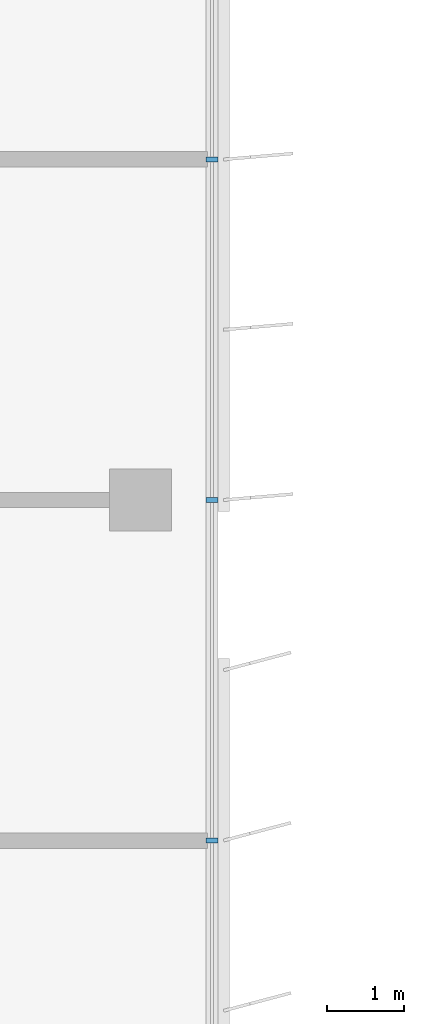
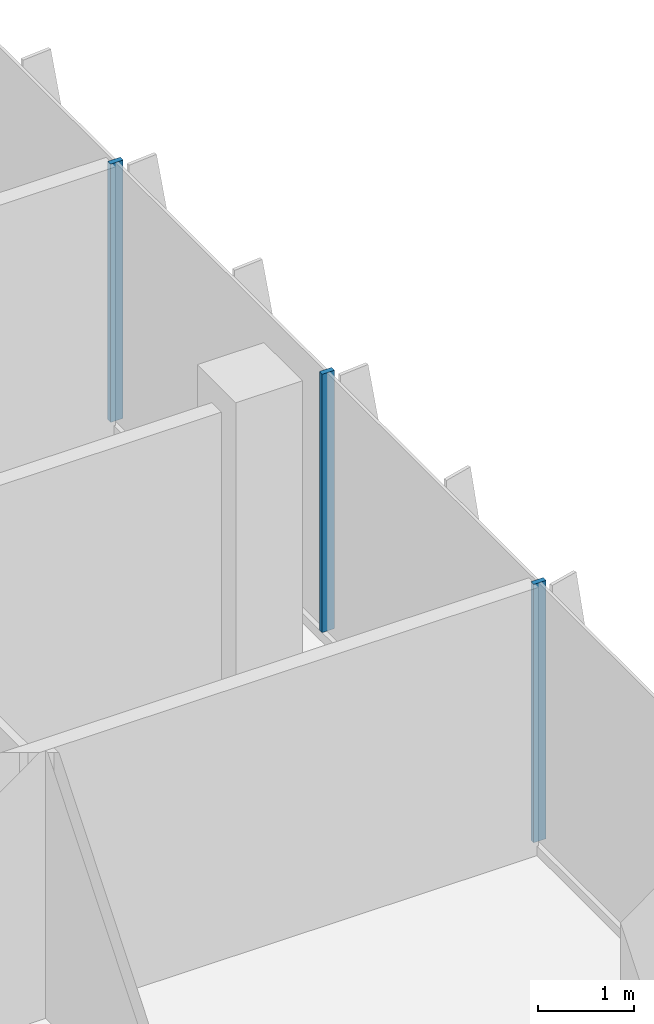
# One storey, part 4 of 16: 3 members, 1 element without a shape of its own.
"""IFC4 building model written with IfcOpenShell, lengths in metres."""

import ifcopenshell
import ifcopenshell.guid

model = None  # the IFC model being written
_history = None  # IfcOwnerHistory: only IFC2X3 demands one
_inside = {}  # id of a spatial element -> (the spatial element, [elements in it])
_under = {}  # id of a project, library or spatial element -> (it, [spatial elements below it])
_declared = {}  # id of a project -> (the project, [libraries it declares])
_typed = {}  # id of a type object -> (the type object, [elements of that type])
_made_of = {}  # id of a material, layer set ... -> (it, [elements and type objects made of it])


def new_model(schema):
    """Start an empty IFC model of exactly this schema.

    Asked for "IFC4X3", IfcOpenShell would pick the latest addendum, in which some entities
    have other attributes; the version numbers below select the first issue.
    IFC2X3 requires an IfcOwnerHistory on every rooted entity: one is made here for all.
    """
    global model, _history
    if schema == "IFC4X3":
        model = ifcopenshell.file(schema_version=(4, 3, 0, 0))
    else:
        model = ifcopenshell.file(schema=schema)
    _inside.clear()
    _under.clear()
    _declared.clear()
    _typed.clear()
    _made_of.clear()
    _history = None
    if model.schema == "IFC2X3":
        org = make("IfcOrganization", Name="unknown")
        user = make(
            "IfcPersonAndOrganization",
            ThePerson=make("IfcPerson", FamilyName="unknown"),
            TheOrganization=org,
        )
        app = make(
            "IfcApplication",
            ApplicationDeveloper=org,
            Version="unknown",
            ApplicationFullName="unknown",
            ApplicationIdentifier="unknown",
        )
        _history = make(
            "IfcOwnerHistory",
            OwningUser=user,
            OwningApplication=app,
            ChangeAction="ADDED",
            CreationDate=0,
        )
    return model


def make(cls, **values):
    """One entity of the class cls with the attributes given. An attribute that is None is left unset."""
    return model.create_entity(
        cls, **{name: value for name, value in values.items() if value is not None}
    )


def rooted(cls, **values):
    """An entity with a GlobalId (a new one), such as an element, a storey or a relation."""
    return make(cls, GlobalId=ifcopenshell.guid.new(), OwnerHistory=_history, **values)


def si_unit(unit_type, name, prefix=None):
    """IfcSIUnit, for example si_unit("LENGTHUNIT", "METRE", prefix="MILLI")."""
    return make("IfcSIUnit", UnitType=unit_type, Prefix=prefix, Name=name)


def assignment(units):
    """IfcUnitAssignment: the units of a project."""
    return None if units is None else make("IfcUnitAssignment", Units=units)


def point(xyz):
    """IfcCartesianPoint."""
    return None if xyz is None else make("IfcCartesianPoint", Coordinates=xyz)


def direction(xyz):
    """IfcDirection."""
    return None if xyz is None else make("IfcDirection", DirectionRatios=xyz)


def frame(location, z_axis=None, x_axis=None):
    """IfcAxis2Placement3D, a coordinate frame: its origin and axes. An axis left out is left unset."""
    return make(
        "IfcAxis2Placement3D",
        Location=point(location),
        Axis=direction(z_axis),
        RefDirection=direction(x_axis),
    )


def frame_2d(location, x_axis=None):
    """IfcAxis2Placement2D, a coordinate frame in the plane: its origin and x axis."""
    return make(
        "IfcAxis2Placement2D", Location=point(location), RefDirection=direction(x_axis)
    )


def origin():
    """The frame at (0, 0, 0) with its axes left unset."""
    return frame((0.0, 0.0, 0.0))


def origin_2d():
    """The frame at (0, 0) in the plane with its x axis left unset."""
    return frame_2d((0.0, 0.0))


def place(relative_to, where):
    """IfcLocalPlacement: puts the frame where relative to a parent placement (None: the world)."""
    return make(
        "IfcLocalPlacement", PlacementRelTo=relative_to, RelativePlacement=where
    )


def context(
    kind, dimensions, precision=None, world=None, true_north=None, identifier=None
):
    """IfcGeometricRepresentationContext, for example the 3D "Model" context."""
    return make(
        "IfcGeometricRepresentationContext",
        ContextIdentifier=identifier,
        ContextType=kind,
        CoordinateSpaceDimension=dimensions,
        Precision=precision,
        WorldCoordinateSystem=world,
        TrueNorth=true_north,
    )


def subcontext(parent, identifier, kind, view, scale=None):
    """IfcGeometricRepresentationSubContext, for example "Body" below "Model"."""
    return make(
        "IfcGeometricRepresentationSubContext",
        ContextIdentifier=identifier,
        ContextType=kind,
        ParentContext=parent,
        TargetScale=scale,
        TargetView=view,
    )


def project(units=None, contexts=None):
    """IfcProject with its units and contexts."""
    return rooted(
        "IfcProject",
        Name="project",
        RepresentationContexts=contexts,
        UnitsInContext=assignment(units),
    )


def spatial(cls, under=None, at=None, **own):
    """A site, building, storey or space (cls), placed at a placement, below another one or the project."""
    s = rooted(cls, ObjectPlacement=at, **own)
    if under is not None:
        _under.setdefault(under.id(), (under, []))[1].append(s)
    return s


def profile(cls, at=None, kind="AREA", **sizes):
    """A parametric profile (cls). Its sizes go by their IFC names, for example OverallWidth=200.0."""
    return make(cls, ProfileType=kind, Position=at, **sizes)


def rectangle(**sizes):
    """IfcRectangleProfileDef."""
    return profile("IfcRectangleProfileDef", **sizes)


def extrude(swept, where, along, depth):
    """IfcExtrudedAreaSolid: the profile swept, set in the frame where, extruded along a direction by depth."""
    return make(
        "IfcExtrudedAreaSolid",
        SweptArea=swept,
        Position=where,
        ExtrudedDirection=direction(along),
        Depth=depth,
    )


def shape(context_of_items, identifier, shape_type, items):
    """IfcShapeRepresentation: the items that make up one representation, for example the "Body"."""
    return make(
        "IfcShapeRepresentation",
        ContextOfItems=context_of_items,
        RepresentationIdentifier=identifier,
        RepresentationType=shape_type,
        Items=items,
    )


def source(mapping_origin, context_of_items, identifier, shape_type, items):
    """IfcRepresentationMap: a shape defined once, which mapped items show again and again."""
    return make(
        "IfcRepresentationMap",
        MappingOrigin=mapping_origin,
        MappedRepresentation=shape(context_of_items, identifier, shape_type, items),
    )


def transform(
    local_origin,
    x_axis=None,
    y_axis=None,
    z_axis=None,
    scale=None,
    scale2=None,
    scale3=None,
    uniform=True,
):
    """IfcCartesianTransformationOperator3D, or its non-uniform kind. x_axis, y_axis, z_axis: its Axis1, 2, 3."""
    if uniform:
        return make(
            "IfcCartesianTransformationOperator3D",
            Axis1=direction(x_axis),
            Axis2=direction(y_axis),
            LocalOrigin=point(local_origin),
            Scale=scale,
            Axis3=direction(z_axis),
        )
    return make(
        "IfcCartesianTransformationOperator3DnonUniform",
        Axis1=direction(x_axis),
        Axis2=direction(y_axis),
        LocalOrigin=point(local_origin),
        Scale=scale,
        Axis3=direction(z_axis),
        Scale2=scale2,
        Scale3=scale3,
    )


def mapped(mapping_source, mapping_target):
    """IfcMappedItem: shows the shape of a source again, moved by a transform."""
    return make(
        "IfcMappedItem", MappingSource=mapping_source, MappingTarget=mapping_target
    )


def material(Name=None, Category=None):
    """IfcMaterial."""
    return make("IfcMaterial", Name=Name, Category=Category)


def material_profile(
    of_material, cross_section, Name=None, Category=None, Priority=None
):
    """IfcMaterialProfile: a cross section and its material."""
    return make(
        "IfcMaterialProfile",
        Name=Name,
        Material=of_material,
        Profile=cross_section,
        Priority=Priority,
        Category=Category,
    )


def profile_set(profiles, Name=None, composite=None):
    """IfcMaterialProfileSet."""
    return make(
        "IfcMaterialProfileSet",
        Name=Name,
        MaterialProfiles=profiles,
        CompositeProfile=composite,
    )


def made_of(thing, what):
    """Note that an element or type object is made of a material, layer set ...; save() writes the relation."""
    if what is not None:
        _made_of.setdefault(what.id(), (what, []))[1].append(thing)
    return thing


def type_object(cls, material=None, **own):
    """A type object (cls), such as IfcWallType, which elements share."""
    return made_of(rooted(cls, **own), material)


def element(
    cls,
    number,
    at=None,
    inside=None,
    cuts=None,
    type_object=None,
    material=None,
    context=None,
    identifier="Body",
    shape_type=None,
    held_by="IfcProductDefinitionShape",
    body=None,
    shapes=None,
    **own,
):
    """One element of the class cls, such as IfcWall. Its Tag is "e" and its number.

    at: its placement. inside: the storey or other place that contains it. cuts: it is an
    opening in that element (IfcRelVoidsElement). A single representation is given by context,
    identifier, shape_type and body (its items); several are given by shapes. held_by: the class
    of the entity that holds the representations. save() writes the other relations.
    """
    e = rooted(cls, Tag="e%d" % number, ObjectPlacement=at, **own)
    if body is not None:
        shapes = [shape(context, identifier, shape_type, body)]
    if shapes is not None:
        e.Representation = make(held_by, Representations=shapes)
    if inside is not None:
        _inside.setdefault(inside.id(), (inside, []))[1].append(e)
    if cuts is not None:
        rooted(
            "IfcRelVoidsElement", RelatingBuildingElement=cuts, RelatedOpeningElement=e
        )
    if type_object is not None:
        _typed.setdefault(type_object.id(), (type_object, []))[1].append(e)
    return made_of(e, material)


def aggregate(whole, parts):
    """IfcRelAggregates: a whole, such as a stair, and the parts it consists of."""
    return rooted("IfcRelAggregates", RelatingObject=whole, RelatedObjects=parts)


def save(model, path):
    """Write the relations noted so far, then the file.

    IfcRelAggregates (storeys below a building ...), IfcRelContainedInSpatialStructure (elements
    in a storey), IfcRelDefinesByType, IfcRelAssociatesMaterial and IfcRelDeclares: one each for
    every whole, place, type object, material and project.
    """
    for whole, parts in _under.values():
        aggregate(whole, parts)
    for where, things in _inside.values():
        rooted(
            "IfcRelContainedInSpatialStructure",
            RelatedElements=things,
            RelatingStructure=where,
        )
    for kind, things in _typed.values():
        rooted("IfcRelDefinesByType", RelatedObjects=things, RelatingType=kind)
    for what, things in _made_of.values():
        rooted("IfcRelAssociatesMaterial", RelatedObjects=things, RelatingMaterial=what)
    for by, libraries in _declared.values():
        rooted("IfcRelDeclares", RelatingContext=by, RelatedDefinitions=libraries)
    model.write(path)


model = new_model("IFC4")

# Units and contexts
model_context = context("Model", 3, precision=1e-05, world=origin(), true_north=direction((0.0, 1.0)))
body_context = subcontext(model_context, "Body", "Model", "MODEL_VIEW")
ifc_project = project(units=[si_unit("LENGTHUNIT", "METRE"), si_unit("AREAUNIT", "SQUARE_METRE"), si_unit("VOLUMEUNIT", "CUBIC_METRE"), si_unit("PLANEANGLEUNIT", "RADIAN"), si_unit("MASSUNIT", "GRAM", prefix="KILO")], contexts=[model_context])

# Site, building, storey
site_placement = place(None, origin())
site = spatial("IfcSite", under=ifc_project, at=site_placement, CompositionType="ELEMENT")
building_placement = place(site_placement, origin())
building = spatial("IfcBuilding", under=site, at=building_placement, Name="Kemantara Hotel Tower", CompositionType="ELEMENT")
storey_placement = place(building_placement, frame((0.0, 0.0, 283.300048828125)))
storey = spatial("IfcBuildingStorey", under=building, at=storey_placement, Name="L71", CompositionType="ELEMENT", Elevation=283.300048828125)

# Curtain wall, members
ifc_material_1 = material(Name="Low-E tinted double insulated glass 36 mm", Category="glass")
curtain_wall_type = type_object("IfcCurtainWallType", Name="TOWER CURTAIN WALL, FRONT FACES", PredefinedType="USERDEFINED", material=ifc_material_1)
curtain_wall_placement = place(storey_placement, origin())
curtain_wall = element("IfcCurtainWall", 1, at=curtain_wall_placement, inside=storey, type_object=curtain_wall_type, Name="CW4 L71 T4-R15-1", ObjectType="TOWER CURTAIN WALL, FRONT FACES", PredefinedType="USERDEFINED")
ifc_material_2 = material(Name="Aluminium 6063-T6 bronze anodised", Category="aluminium")
ifc_material_profile = material_profile(ifc_material_2, rectangle(XDim=0.14990234375, YDim=0.06005859375, at=origin_2d()), Name="TOWER CURTAIN WALL, FRONT FACES MULLION")
ifc_profile_set = profile_set([ifc_material_profile], Name="Aluminium 6063-T6 bronze anodised")
member_type = type_object("IfcMemberType", Name="TOWER CURTAIN WALL, FRONT FACES MULLION", PredefinedType="MULLION", material=ifc_profile_set)
shared_shape = source(origin(), body_context, "Body", "SweptSolid", [
    extrude(rectangle(XDim=0.14990234375, YDim=0.06005859375, at=origin_2d()), origin(), (0.0, 0.0, 1.0), 3.280029296875),
])
member_1_placement = place(storey_placement, frame((21.925048828125, 31.800048828125, 0.119873046875), z_axis=(0.0, 0.0, 1.0), x_axis=(-1.0, 0.0, 0.0)))
member_1 = element("IfcMember", 2, at=member_1_placement, type_object=member_type, Name="CW4 mullion T4-R15-1.3", PredefinedType="MULLION", context=body_context, shape_type="MappedRepresentation", body=[
    mapped(shared_shape, transform((0.0, 0.0, 0.0))),
])
member_2_placement = place(storey_placement, frame((21.925048828125, 36.199951171875, 0.119873046875), z_axis=(0.0, 0.0, 1.0), x_axis=(-1.0, 0.0, 0.0)))
member_2 = element("IfcMember", 3, at=member_2_placement, type_object=member_type, Name="CW4 mullion T4-R15-1.4", PredefinedType="MULLION", context=body_context, shape_type="MappedRepresentation", body=[
    mapped(shared_shape, transform((0.0, 0.0, 0.0))),
])
member_3_placement = place(storey_placement, frame((21.925048828125, 40.60009765625, 0.119873046875), z_axis=(0.0, 0.0, 1.0), x_axis=(-1.0, 0.0, 0.0)))
member_3 = element("IfcMember", 4, at=member_3_placement, type_object=member_type, Name="CW4 mullion T4-R15-1.5", PredefinedType="MULLION", context=body_context, shape_type="MappedRepresentation", body=[
    mapped(shared_shape, transform((0.0, 0.0, 0.0))),
])
aggregate(curtain_wall, [member_1, member_2, member_3])

save(model, "model.ifc")
